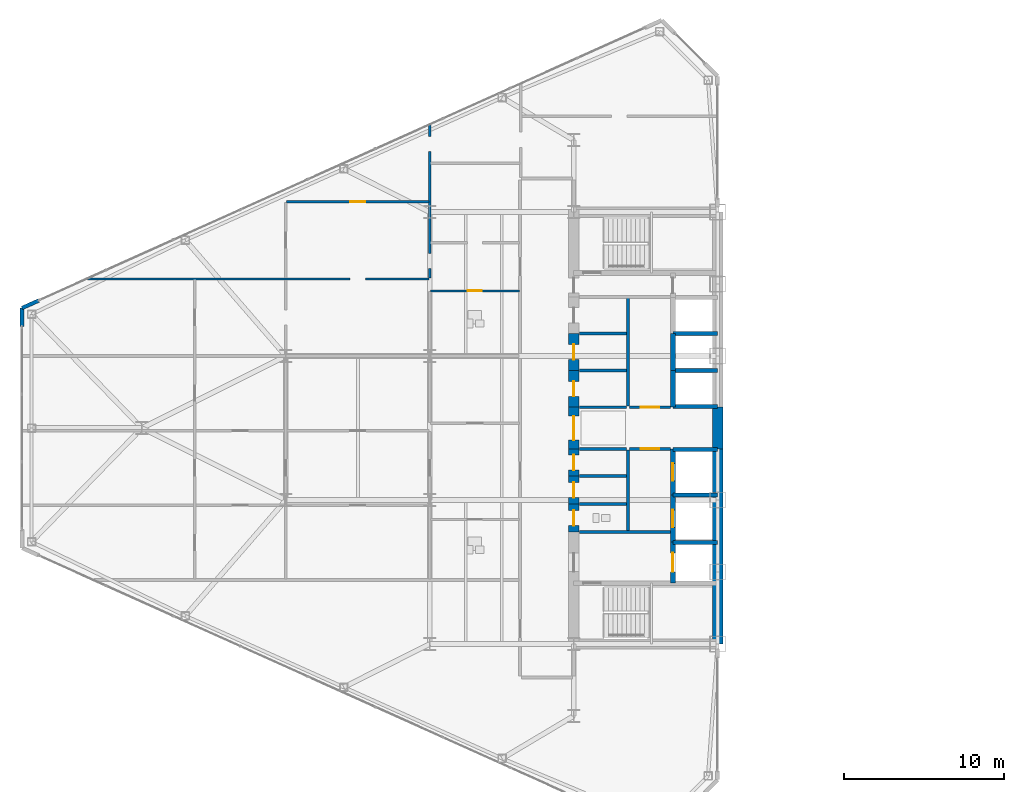
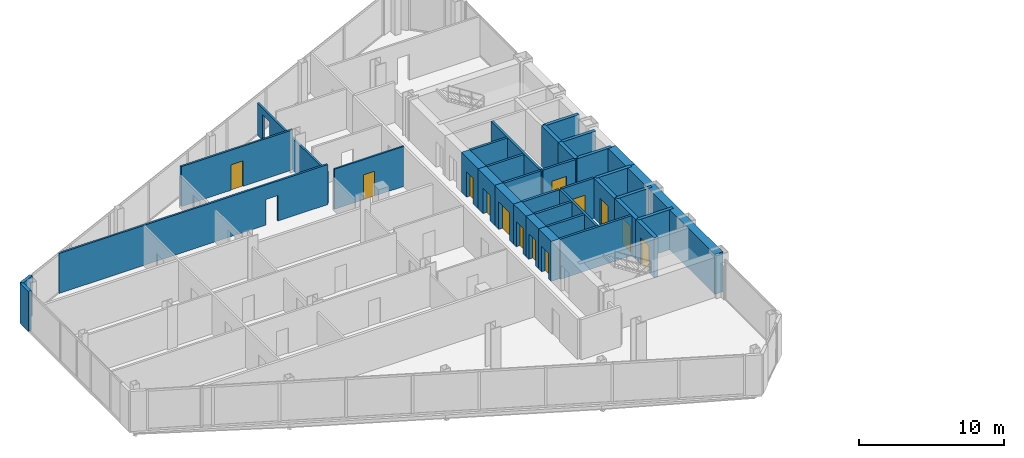
# One storey, part 20 of 27: 36 walls, 13 doors, 16 openings.
"""IFC4 building model written with IfcOpenShell, lengths in metres."""

import ifcopenshell
import ifcopenshell.guid

model = None  # the IFC model being written
_history = None  # IfcOwnerHistory: only IFC2X3 demands one
_inside = {}  # id of a spatial element -> (the spatial element, [elements in it])
_under = {}  # id of a project, library or spatial element -> (it, [spatial elements below it])
_declared = {}  # id of a project -> (the project, [libraries it declares])
_typed = {}  # id of a type object -> (the type object, [elements of that type])
_made_of = {}  # id of a material, layer set ... -> (it, [elements and type objects made of it])


def new_model(schema):
    """Start an empty IFC model of exactly this schema.

    Asked for "IFC4X3", IfcOpenShell would pick the latest addendum, in which some entities
    have other attributes; the version numbers below select the first issue.
    IFC2X3 requires an IfcOwnerHistory on every rooted entity: one is made here for all.
    """
    global model, _history
    if schema == "IFC4X3":
        model = ifcopenshell.file(schema_version=(4, 3, 0, 0))
    else:
        model = ifcopenshell.file(schema=schema)
    _inside.clear()
    _under.clear()
    _declared.clear()
    _typed.clear()
    _made_of.clear()
    _history = None
    if model.schema == "IFC2X3":
        org = make("IfcOrganization", Name="unknown")
        user = make(
            "IfcPersonAndOrganization",
            ThePerson=make("IfcPerson", FamilyName="unknown"),
            TheOrganization=org,
        )
        app = make(
            "IfcApplication",
            ApplicationDeveloper=org,
            Version="unknown",
            ApplicationFullName="unknown",
            ApplicationIdentifier="unknown",
        )
        _history = make(
            "IfcOwnerHistory",
            OwningUser=user,
            OwningApplication=app,
            ChangeAction="ADDED",
            CreationDate=0,
        )
    return model


def make(cls, **values):
    """One entity of the class cls with the attributes given. An attribute that is None is left unset."""
    return model.create_entity(
        cls, **{name: value for name, value in values.items() if value is not None}
    )


def rooted(cls, **values):
    """An entity with a GlobalId (a new one), such as an element, a storey or a relation."""
    return make(cls, GlobalId=ifcopenshell.guid.new(), OwnerHistory=_history, **values)


def si_unit(unit_type, name, prefix=None):
    """IfcSIUnit, for example si_unit("LENGTHUNIT", "METRE", prefix="MILLI")."""
    return make("IfcSIUnit", UnitType=unit_type, Prefix=prefix, Name=name)


def assignment(units):
    """IfcUnitAssignment: the units of a project."""
    return None if units is None else make("IfcUnitAssignment", Units=units)


def point(xyz):
    """IfcCartesianPoint."""
    return None if xyz is None else make("IfcCartesianPoint", Coordinates=xyz)


def direction(xyz):
    """IfcDirection."""
    return None if xyz is None else make("IfcDirection", DirectionRatios=xyz)


def frame(location, z_axis=None, x_axis=None):
    """IfcAxis2Placement3D, a coordinate frame: its origin and axes. An axis left out is left unset."""
    return make(
        "IfcAxis2Placement3D",
        Location=point(location),
        Axis=direction(z_axis),
        RefDirection=direction(x_axis),
    )


def frame_2d(location, x_axis=None):
    """IfcAxis2Placement2D, a coordinate frame in the plane: its origin and x axis."""
    return make(
        "IfcAxis2Placement2D", Location=point(location), RefDirection=direction(x_axis)
    )


def origin():
    """The frame at (0, 0, 0) with its axes left unset."""
    return frame((0.0, 0.0, 0.0))


def place(relative_to, where):
    """IfcLocalPlacement: puts the frame where relative to a parent placement (None: the world)."""
    return make(
        "IfcLocalPlacement", PlacementRelTo=relative_to, RelativePlacement=where
    )


def context(
    kind, dimensions, precision=None, world=None, true_north=None, identifier=None
):
    """IfcGeometricRepresentationContext, for example the 3D "Model" context."""
    return make(
        "IfcGeometricRepresentationContext",
        ContextIdentifier=identifier,
        ContextType=kind,
        CoordinateSpaceDimension=dimensions,
        Precision=precision,
        WorldCoordinateSystem=world,
        TrueNorth=true_north,
    )


def subcontext(parent, identifier, kind, view, scale=None):
    """IfcGeometricRepresentationSubContext, for example "Body" below "Model"."""
    return make(
        "IfcGeometricRepresentationSubContext",
        ContextIdentifier=identifier,
        ContextType=kind,
        ParentContext=parent,
        TargetScale=scale,
        TargetView=view,
    )


def project(units=None, contexts=None):
    """IfcProject with its units and contexts."""
    return rooted(
        "IfcProject",
        Name="project",
        RepresentationContexts=contexts,
        UnitsInContext=assignment(units),
    )


def spatial(cls, under=None, at=None, **own):
    """A site, building, storey or space (cls), placed at a placement, below another one or the project."""
    s = rooted(cls, ObjectPlacement=at, **own)
    if under is not None:
        _under.setdefault(under.id(), (under, []))[1].append(s)
    return s


def profile(cls, at=None, kind="AREA", **sizes):
    """A parametric profile (cls). Its sizes go by their IFC names, for example OverallWidth=200.0."""
    return make(cls, ProfileType=kind, Position=at, **sizes)


def rectangle(**sizes):
    """IfcRectangleProfileDef."""
    return profile("IfcRectangleProfileDef", **sizes)


def extrude(swept, where, along, depth):
    """IfcExtrudedAreaSolid: the profile swept, set in the frame where, extruded along a direction by depth."""
    return make(
        "IfcExtrudedAreaSolid",
        SweptArea=swept,
        Position=where,
        ExtrudedDirection=direction(along),
        Depth=depth,
    )


def shape(context_of_items, identifier, shape_type, items):
    """IfcShapeRepresentation: the items that make up one representation, for example the "Body"."""
    return make(
        "IfcShapeRepresentation",
        ContextOfItems=context_of_items,
        RepresentationIdentifier=identifier,
        RepresentationType=shape_type,
        Items=items,
    )


def source(mapping_origin, context_of_items, identifier, shape_type, items):
    """IfcRepresentationMap: a shape defined once, which mapped items show again and again."""
    return make(
        "IfcRepresentationMap",
        MappingOrigin=mapping_origin,
        MappedRepresentation=shape(context_of_items, identifier, shape_type, items),
    )


def transform(
    local_origin,
    x_axis=None,
    y_axis=None,
    z_axis=None,
    scale=None,
    scale2=None,
    scale3=None,
    uniform=True,
):
    """IfcCartesianTransformationOperator3D, or its non-uniform kind. x_axis, y_axis, z_axis: its Axis1, 2, 3."""
    if uniform:
        return make(
            "IfcCartesianTransformationOperator3D",
            Axis1=direction(x_axis),
            Axis2=direction(y_axis),
            LocalOrigin=point(local_origin),
            Scale=scale,
            Axis3=direction(z_axis),
        )
    return make(
        "IfcCartesianTransformationOperator3DnonUniform",
        Axis1=direction(x_axis),
        Axis2=direction(y_axis),
        LocalOrigin=point(local_origin),
        Scale=scale,
        Axis3=direction(z_axis),
        Scale2=scale2,
        Scale3=scale3,
    )


def mapped(mapping_source, mapping_target):
    """IfcMappedItem: shows the shape of a source again, moved by a transform."""
    return make(
        "IfcMappedItem", MappingSource=mapping_source, MappingTarget=mapping_target
    )


def material(Name=None, Category=None):
    """IfcMaterial."""
    return make("IfcMaterial", Name=Name, Category=Category)


def layer(
    of_material, thickness, ventilated=None, Name=None, Category=None, Priority=None
):
    """IfcMaterialLayer: one layer of a wall or slab, of a material (None: an air gap)."""
    return make(
        "IfcMaterialLayer",
        Material=of_material,
        LayerThickness=thickness,
        IsVentilated=ventilated,
        Name=Name,
        Category=Category,
        Priority=Priority,
    )


def layer_set(layers, Name=None):
    """IfcMaterialLayerSet."""
    return make("IfcMaterialLayerSet", MaterialLayers=layers, LayerSetName=Name)


def made_of(thing, what):
    """Note that an element or type object is made of a material, layer set ...; save() writes the relation."""
    if what is not None:
        _made_of.setdefault(what.id(), (what, []))[1].append(thing)
    return thing


def type_object(cls, material=None, **own):
    """A type object (cls), such as IfcWallType, which elements share."""
    return made_of(rooted(cls, **own), material)


def type_shapes(of_type, sources):
    """Give a type object the sources (RepresentationMaps) that its elements show as mapped items."""
    of_type.RepresentationMaps = sources


def element(
    cls,
    number,
    at=None,
    inside=None,
    cuts=None,
    type_object=None,
    material=None,
    context=None,
    identifier="Body",
    shape_type=None,
    held_by="IfcProductDefinitionShape",
    body=None,
    shapes=None,
    **own,
):
    """One element of the class cls, such as IfcWall. Its Tag is "e" and its number.

    at: its placement. inside: the storey or other place that contains it. cuts: it is an
    opening in that element (IfcRelVoidsElement). A single representation is given by context,
    identifier, shape_type and body (its items); several are given by shapes. held_by: the class
    of the entity that holds the representations. save() writes the other relations.
    """
    e = rooted(cls, Tag="e%d" % number, ObjectPlacement=at, **own)
    if body is not None:
        shapes = [shape(context, identifier, shape_type, body)]
    if shapes is not None:
        e.Representation = make(held_by, Representations=shapes)
    if inside is not None:
        _inside.setdefault(inside.id(), (inside, []))[1].append(e)
    if cuts is not None:
        rooted(
            "IfcRelVoidsElement", RelatingBuildingElement=cuts, RelatedOpeningElement=e
        )
    if type_object is not None:
        _typed.setdefault(type_object.id(), (type_object, []))[1].append(e)
    return made_of(e, material)


def fill(opening, filler):
    """IfcRelFillsElement: the door or window that sits in an opening."""
    return rooted(
        "IfcRelFillsElement",
        RelatingOpeningElement=opening,
        RelatedBuildingElement=filler,
    )


def aggregate(whole, parts):
    """IfcRelAggregates: a whole, such as a stair, and the parts it consists of."""
    return rooted("IfcRelAggregates", RelatingObject=whole, RelatedObjects=parts)


def save(model, path):
    """Write the relations noted so far, then the file.

    IfcRelAggregates (storeys below a building ...), IfcRelContainedInSpatialStructure (elements
    in a storey), IfcRelDefinesByType, IfcRelAssociatesMaterial and IfcRelDeclares: one each for
    every whole, place, type object, material and project.
    """
    for whole, parts in _under.values():
        aggregate(whole, parts)
    for where, things in _inside.values():
        rooted(
            "IfcRelContainedInSpatialStructure",
            RelatedElements=things,
            RelatingStructure=where,
        )
    for kind, things in _typed.values():
        rooted("IfcRelDefinesByType", RelatedObjects=things, RelatingType=kind)
    for what, things in _made_of.values():
        rooted("IfcRelAssociatesMaterial", RelatedObjects=things, RelatingMaterial=what)
    for by, libraries in _declared.values():
        rooted("IfcRelDeclares", RelatingContext=by, RelatedDefinitions=libraries)
    model.write(path)


model = new_model("IFC4")

# Units and contexts
model_context = context("Model", 3, precision=1e-05, world=origin(), true_north=direction((0.0, 1.0)))
body_context = subcontext(model_context, "Body", "Model", "MODEL_VIEW")
ifc_project = project(units=[si_unit("LENGTHUNIT", "METRE"), si_unit("AREAUNIT", "SQUARE_METRE"), si_unit("VOLUMEUNIT", "CUBIC_METRE"), si_unit("PLANEANGLEUNIT", "RADIAN"), si_unit("MASSUNIT", "GRAM", prefix="KILO")], contexts=[model_context])

# Site, building, storey
site_placement = place(None, origin())
site = spatial("IfcSite", under=ifc_project, at=site_placement, CompositionType="ELEMENT")
building_placement = place(site_placement, origin())
building = spatial("IfcBuilding", under=site, at=building_placement, Name="Seokmaru Belvedere", CompositionType="ELEMENT")
storey_placement = place(building_placement, frame((0.0, 0.0, 80.10009765625)))
storey = spatial("IfcBuildingStorey", under=building, at=storey_placement, Name="L21", CompositionType="ELEMENT", Elevation=80.10009765625)

# Wall, opening
ifc_material_1 = material(Name="Fire-Rated Gypsum Shaftwall")
ifc_layer_1 = layer(ifc_material_1, 0.14990234375)
ifc_layer_set_1 = layer_set([ifc_layer_1], Name="Fire-Rated Gypsum Shaftwall")
wall_type_1 = type_object("IfcWallType", Name="Apartment Fire-Acoustic Room Partition 150", PredefinedType="PARTITIONING", material=ifc_layer_set_1)
wall_1_placement = place(storey_placement, frame((-66.97900390625, 9.320068359375, 0.0), z_axis=(0.0, 0.0, 1.0), x_axis=(1.0, 0.0, 0.0)))
wall_1 = element("IfcWall", 1, at=wall_1_placement, inside=storey, type_object=wall_type_1, Name="L21 Interior Partition 024", PredefinedType="PARTITIONING", context=body_context, shape_type="SweptSolid", body=[
    extrude(rectangle(XDim=21.428955078125, YDim=0.14990234375, at=frame_2d((10.71435546875, 0.0))), origin(), (0.0, 0.0, 1.0), 3.3798828125),
])
opening_1_placement = place(wall_1_placement, frame((16.50390625, 0.0, 0.0)))
element("IfcOpeningElement", 2, at=opening_1_placement, cuts=wall_1, Name="L21 Cased Opening 019", PredefinedType="OPENING", context=body_context, shape_type="SweptSolid", body=[
    extrude(rectangle(XDim=0.949951171875, YDim=2.14990234375, at=frame_2d((0.47509765625, 1.074951171875))), frame((0.0, 0.0849609375, 0.0), z_axis=(0.0, -1.0, 0.0), x_axis=(1.0, 0.0, 0.0)), (0.0, 0.0, 1.0), 0.169921875),
])

# Wall, opening, door
wall_2_placement = place(storey_placement, frame((-54.449951171875, 14.14990234375, 0.0), z_axis=(0.0, 0.0, 1.0), x_axis=(1.0, 0.0, 0.0)))
wall_2 = element("IfcWall", 3, at=wall_2_placement, inside=storey, type_object=wall_type_1, Name="L21 Interior Partition 028", PredefinedType="PARTITIONING", context=body_context, shape_type="SweptSolid", body=[
    extrude(rectangle(XDim=8.89990234375, YDim=0.14990234375, at=frame_2d((4.449951171875, 0.0))), origin(), (0.0, 0.0, 1.0), 3.3798828125),
])
opening_2_placement = place(wall_2_placement, frame((3.97509765625, 0.0, 0.0)))
opening_2 = element("IfcOpeningElement", 4, at=opening_2_placement, cuts=wall_2, Name="Opening D05", PredefinedType="OPENING", context=body_context, shape_type="SweptSolid", body=[
    extrude(rectangle(XDim=0.949951171875, YDim=2.14990234375, at=frame_2d((0.47509765625, 1.074951171875))), frame((0.0, 0.0849609375, 0.0), z_axis=(0.0, -1.0, 0.0), x_axis=(1.0, 0.0, 0.0)), (0.0, 0.0, 1.0), 0.169921875),
])
ifc_material_2 = material(Name="Engineered White Oak Timber", Category="wood")
door_type_1 = type_object("IfcDoorType", Name="Apartment Interior Fire-Rated Oak Door 950x2150", OperationType="NOTDEFINED", PredefinedType="DOOR", material=ifc_material_2)
shared_shape_1 = source(origin(), body_context, "Body", "SweptSolid", [
    extrude(rectangle(XDim=0.949951171875, YDim=2.14990234375, at=frame_2d((0.47509765625, 1.074951171875))), frame((0.0, 0.02490234375, 0.0), z_axis=(0.0, -1.0, 0.0), x_axis=(1.0, 0.0, 0.0)), (0.0, 0.0, 1.0), 0.050048828125),
])
type_shapes(door_type_1, [shared_shape_1])
door_1_placement = place(opening_2_placement, origin())
door_1 = element("IfcDoor", 5, at=door_1_placement, inside=storey, type_object=door_type_1, Name="L21 Interior Door 020", OperationType="SINGLE_SWING_RIGHT", OverallHeight=2.14990234375, OverallWidth=0.949951171875, PredefinedType="DOOR", context=body_context, shape_type="MappedRepresentation", body=[
    mapped(shared_shape_1, transform((0.0, 0.0, 0.0), scale=1.0)),
])
fill(opening_2, door_1)

# Wall, openings
wall_3_placement = place(storey_placement, frame((-45.5, 9.375, 0.0), z_axis=(0.0, 0.0, 1.0), x_axis=(0.0, 1.0, 0.0)))
wall_3 = element("IfcWall", 6, at=wall_3_placement, inside=storey, type_object=wall_type_1, Name="L21 Interior Partition 040", PredefinedType="PARTITIONING", context=body_context, shape_type="SweptSolid", body=[
    extrude(rectangle(XDim=9.635009765625, YDim=0.14990234375, at=frame_2d((4.8173828125, 0.0))), origin(), (0.0, 0.0, 1.0), 2.679931640625),
])
opening_3_placement = place(wall_3_placement, frame((0.601318359375, 0.0, 0.0)))
element("IfcOpeningElement", 7, at=opening_3_placement, cuts=wall_3, Name="L21 Cased Opening 017", PredefinedType="OPENING", context=body_context, shape_type="SweptSolid", body=[
    extrude(rectangle(XDim=0.949951171875, YDim=2.14990234375, at=frame_2d((0.47509765625, 1.074951171875))), frame((0.0, 0.0849609375, 0.0), z_axis=(0.0, -1.0, 0.0), x_axis=(1.0, 0.0, 0.0)), (0.0, 0.0, 1.0), 0.169921875),
])
opening_4_placement = place(wall_3_placement, frame((7.9169921875, 0.0, 0.0)))
element("IfcOpeningElement", 8, at=opening_4_placement, cuts=wall_3, Name="L21 Cased Opening 023", PredefinedType="OPENING", context=body_context, shape_type="SweptSolid", body=[
    extrude(rectangle(XDim=0.949951171875, YDim=2.14990234375, at=frame_2d((0.47509765625, 1.074951171875))), frame((0.0, 0.0849609375, 0.0), z_axis=(0.0, -1.0, 0.0), x_axis=(1.0, 0.0, 0.0)), (0.0, 0.0, 1.0), 0.169921875),
])

# Walls
ifc_layer_2 = layer(ifc_material_1, 0.179931640625)
ifc_layer_set_2 = layer_set([ifc_layer_2], Name="Fire-Rated Gypsum Shaftwall")
wall_type_2 = type_object("IfcWallType", Name="Core Service Fire Partition 180", PredefinedType="PARTITIONING", material=ifc_layer_set_2)
wall_4_placement = place(storey_placement, frame((-36.14990234375, -6.5, 0.0), z_axis=(0.0, 0.0, 1.0), x_axis=(1.0, 0.0, 0.0)))
element("IfcWall", 9, at=wall_4_placement, inside=storey, type_object=wall_type_2, Name="L21 West Firefighting Lobby Partition", PredefinedType="PARTITIONING", context=body_context, shape_type="SweptSolid", body=[
    extrude(rectangle(XDim=5.699951171875, YDim=0.179931640625, at=frame_2d((2.85009765625, 0.0))), origin(), (0.0, 0.0, 1.0), 3.3798828125),
])
wall_5_placement = place(storey_placement, frame((-33.10009765625, -6.419921875, 0.0), z_axis=(0.0, 0.0, 1.0), x_axis=(0.0, 1.0, 0.0)))
element("IfcWall", 10, at=wall_5_placement, inside=storey, type_object=wall_type_2, Name="L21 West South Core Service Back Wall", PredefinedType="PARTITIONING", context=body_context, shape_type="SweptSolid", body=[
    extrude(rectangle(XDim=5.0400390625, YDim=0.179931640625, at=frame_2d((2.52001953125, 0.0))), origin(), (0.0, 0.0, 1.0), 3.3798828125),
])
wall_6_placement = place(storey_placement, frame((-33.10009765625, 1.3798828125, 0.0), z_axis=(0.0, 0.0, 1.0), x_axis=(0.0, 1.0, 0.0)))
element("IfcWall", 11, at=wall_6_placement, inside=storey, type_object=wall_type_2, Name="L21 West North Core Service Back Wall", PredefinedType="PARTITIONING", context=body_context, shape_type="SweptSolid", body=[
    extrude(rectangle(XDim=6.740234375, YDim=0.179931640625, at=frame_2d((3.3701171875, 0.0))), origin(), (0.0, 0.0, 1.0), 3.3798828125),
])

# Wall, opening, door
wall_7_placement = place(storey_placement, frame((-33.02001953125, -1.300048828125, 0.0), z_axis=(0.0, 0.0, 1.0), x_axis=(1.0, 0.0, 0.0)))
wall_7 = element("IfcWall", 12, at=wall_7_placement, inside=storey, type_object=wall_type_2, Name="L21 West South Lift Lobby Foyer Wall", PredefinedType="PARTITIONING", context=body_context, shape_type="SweptSolid", body=[
    extrude(rectangle(XDim=2.570068359375, YDim=0.179931640625, at=frame_2d((1.28515625, 0.0))), origin(), (0.0, 0.0, 1.0), 3.3798828125),
])
opening_5_placement = place(wall_7_placement, frame((0.7099609375, 0.0, 0.0)))
opening_5 = element("IfcOpeningElement", 13, at=opening_5_placement, cuts=wall_7, Name="Opening D02", PredefinedType="OPENING", context=body_context, shape_type="SweptSolid", body=[
    extrude(rectangle(XDim=1.14990234375, YDim=2.199951171875, at=frame_2d((0.574951171875, 1.10009765625))), frame((0.0, 0.10009765625, 0.0), z_axis=(0.0, -1.0, 0.0), x_axis=(1.0, 0.0, 0.0)), (0.0, 0.0, 1.0), 0.199951171875),
])
ifc_material_3 = material(Name="Fire-Rated Steel Leaf", Category="steel")
door_type_2 = type_object("IfcDoorType", Name="Lobby and Vestibule Fire Door 1150x2200", OperationType="NOTDEFINED", PredefinedType="DOOR", material=ifc_material_3)
shared_shape_2 = source(origin(), body_context, "Body", "SweptSolid", [
    extrude(rectangle(XDim=1.14990234375, YDim=2.199951171875, at=frame_2d((0.574951171875, 1.10009765625))), frame((0.0, 0.02490234375, 0.0), z_axis=(0.0, -1.0, 0.0), x_axis=(1.0, 0.0, 0.0)), (0.0, 0.0, 1.0), 0.050048828125),
])
type_shapes(door_type_2, [shared_shape_2])
door_2_placement = place(opening_5_placement, origin())
door_2 = element("IfcDoor", 14, at=door_2_placement, inside=storey, type_object=door_type_2, Name="L21 West South Core Foyer Door", OperationType="SINGLE_SWING_LEFT", OverallHeight=2.199951171875, OverallWidth=1.14990234375, PredefinedType="DOOR", context=body_context, shape_type="MappedRepresentation", body=[
    mapped(shared_shape_2, transform((0.0, 0.0, 0.0), scale=1.0)),
])
fill(opening_5, door_2)

wall_8_placement = place(storey_placement, frame((-33.02001953125, 1.300048828125, 0.0), z_axis=(0.0, 0.0, 1.0), x_axis=(1.0, 0.0, 0.0)))
wall_8 = element("IfcWall", 15, at=wall_8_placement, inside=storey, type_object=wall_type_2, Name="L21 West North Lift Lobby Foyer Wall", PredefinedType="PARTITIONING", context=body_context, shape_type="SweptSolid", body=[
    extrude(rectangle(XDim=2.570068359375, YDim=0.179931640625, at=frame_2d((1.28515625, 0.0))), origin(), (0.0, 0.0, 1.0), 3.3798828125),
])
opening_6_placement = place(wall_8_placement, frame((0.7099609375, 0.0, 0.0)))
opening_6 = element("IfcOpeningElement", 16, at=opening_6_placement, cuts=wall_8, Name="Opening D02", PredefinedType="OPENING", context=body_context, shape_type="SweptSolid", body=[
    extrude(rectangle(XDim=1.14990234375, YDim=2.199951171875, at=frame_2d((0.574951171875, 1.10009765625))), frame((0.0, 0.10009765625, 0.0), z_axis=(0.0, -1.0, 0.0), x_axis=(1.0, 0.0, 0.0)), (0.0, 0.0, 1.0), 0.199951171875),
])
door_3_placement = place(opening_6_placement, origin())
door_3 = element("IfcDoor", 17, at=door_3_placement, inside=storey, type_object=door_type_2, Name="L21 West North Lift Lobby Door", OperationType="SINGLE_SWING_RIGHT", OverallHeight=2.199951171875, OverallWidth=1.14990234375, PredefinedType="DOOR", context=body_context, shape_type="MappedRepresentation", body=[
    mapped(shared_shape_2, transform((0.0, 0.0, 0.0), scale=1.0)),
])
fill(opening_6, door_3)

# Walls
for number, where, z_axis, x_axis, name in (
    (18, (-36.14990234375, -1.300048828125, 0.0), (0.0, 0.0, 1.0), (1.0, 0.0, 0.0), "L21 West Foyer Side Wall S"),
    (19, (-36.14990234375, 1.300048828125, 0.0), (0.0, 0.0, 1.0), (1.0, 0.0, 0.0), "L21 West Foyer Side Wall N"),
    (20, (-36.14990234375, -4.75, 0.0), (0.0, 0.0, 1.0), (1.0, 0.0, 0.0), "L21 West Core Service Partition 1"),
    (21, (-36.14990234375, -3.0, 0.0), (0.0, 0.0, 1.0), (1.0, 0.0, 0.0), "L21 West Core Service Partition 2"),
    (22, (-36.14990234375, 3.60009765625, 0.0), (0.0, 0.0, 1.0), (1.0, 0.0, 0.0), "L21 West Core Service Partition 3"),
    (23, (-36.14990234375, 5.89990234375, 0.0), (0.0, 0.0, 1.0), (1.0, 0.0, 0.0), "L21 West Core Service Partition 4"),
):
    element("IfcWall", number, at=place(storey_placement, frame(where, z_axis=z_axis, x_axis=x_axis)), inside=storey, type_object=wall_type_2, Name=name, PredefinedType="PARTITIONING", context=body_context, shape_type="SweptSolid", body=[
        extrude(rectangle(XDim=2.949951171875, YDim=0.179931640625, at=frame_2d((1.47509765625, 0.0))), origin(), (0.0, 0.0, 1.0), 3.3798828125),
    ])
ifc_material_4 = material(Name="Concrete C50 (50 MPa)", Category="concrete")
ifc_layer_3 = layer(ifc_material_4, 0.25)
ifc_layer_set_3 = layer_set([ifc_layer_3], Name="Concrete C50 (50 MPa)")
wall_type_3 = type_object("IfcWallType", Name="Hoistway Transverse Concrete Divider Wall 250", PredefinedType="SHEAR", material=ifc_layer_set_3)
for number, where, z_axis, x_axis, name in (
    (24, (-30.300048828125, -7.14990234375, 0.0), (0.0, 0.0, 1.0), (1.0, 0.0, 0.0), "L21 West Hoistway Divider Core Wall 1"),
    (25, (-30.300048828125, -4.199951171875, 0.0), (0.0, 0.0, 1.0), (1.0, 0.0, 0.0), "L21 West Hoistway Divider Core Wall 2"),
    (26, (-30.300048828125, -1.35009765625, 0.0), (0.0, 0.0, 1.0), (1.0, 0.0, 0.0), "L21 West Hoistway Divider Core Wall 3"),
    (27, (-30.300048828125, 1.35009765625, 0.0), (0.0, 0.0, 1.0), (1.0, 0.0, 0.0), "L21 West Hoistway Divider Core Wall 4"),
    (28, (-30.300048828125, 3.60009765625, 0.0), (0.0, 0.0, 1.0), (1.0, 0.0, 0.0), "L21 West Hoistway Divider Core Wall 5"),
    (29, (-30.300048828125, 5.89990234375, 0.0), (0.0, 0.0, 1.0), (1.0, 0.0, 0.0), "L21 West Hoistway Divider Core Wall 6"),
):
    element("IfcWall", number, at=place(storey_placement, frame(where, z_axis=z_axis, x_axis=x_axis)), inside=storey, type_object=wall_type_3, Name=name, PredefinedType="SHEAR", context=body_context, shape_type="SweptSolid", body=[
        extrude(rectangle(XDim=2.800048828125, YDim=0.25, at=frame_2d((1.39990234375, 0.0))), origin(), (0.0, 0.0, 1.0), 3.3798828125),
    ])

# Wall, opening, door
ifc_layer_4 = layer(ifc_material_4, 0.300048828125)
ifc_layer_set_4 = layer_set([ifc_layer_4], Name="Concrete C50 (50 MPa)")
wall_type_4 = type_object("IfcWallType", Name="Internal Core Stair and Hoistway Wall 300", PredefinedType="SHEAR", material=ifc_layer_set_4)
wall_9_placement = place(storey_placement, frame((-30.300048828125, -9.679931640625, 0.0), z_axis=(0.0, 0.0, 1.0), x_axis=(0.0, 1.0, 0.0)))
wall_9 = element("IfcWall", 30, at=wall_9_placement, inside=storey, type_object=wall_type_4, Name="L21 West Firefighting Lift Shaft Front Wall", PredefinedType="SHEAR", context=body_context, shape_type="SweptSolid", body=[
    extrude(rectangle(XDim=2.559814453125, YDim=0.300048828125, at=frame_2d((1.27978515625, 0.0))), origin(), (0.0, 0.0, 1.0), 3.3798828125),
])
opening_7_placement = place(wall_9_placement, frame((0.679931640625, 0.0, 0.0)))
opening_7 = element("IfcOpeningElement", 31, at=opening_7_placement, cuts=wall_9, Name="Opening LD2", PredefinedType="OPENING", context=body_context, shape_type="SweptSolid", body=[
    extrude(rectangle(XDim=1.199951171875, YDim=2.25, at=frame_2d((0.60009765625, 1.125))), frame((0.0, 0.16015625, 0.0), z_axis=(0.0, -1.0, 0.0), x_axis=(1.0, 0.0, 0.0)), (0.0, 0.0, 1.0), 0.320068359375),
])
ifc_material_5 = material(Name="Stainless Steel 316", Category="steel")
door_type_3 = type_object("IfcDoorType", Name="Firefighting Lift Sliding Landing Door 1200x2250", OperationType="DOUBLE_DOOR_SLIDING", PredefinedType="DOOR", material=ifc_material_5)
shared_shape_3 = source(origin(), body_context, "Body", "SweptSolid", [
    extrude(rectangle(XDim=1.199951171875, YDim=2.25, at=frame_2d((0.60009765625, 1.125))), frame((0.0, 0.02490234375, 0.0), z_axis=(0.0, -1.0, 0.0), x_axis=(1.0, 0.0, 0.0)), (0.0, 0.0, 1.0), 0.050048828125),
])
type_shapes(door_type_3, [shared_shape_3])
door_4_placement = place(opening_7_placement, origin())
door_4 = element("IfcDoor", 32, at=door_4_placement, inside=storey, type_object=door_type_3, Name="L21 West Firefighting Lift Landing Door", OperationType="DOUBLE_DOOR_SLIDING", OverallHeight=2.25, OverallWidth=1.199951171875, PredefinedType="DOOR", context=body_context, shape_type="MappedRepresentation", body=[
    mapped(shared_shape_3, transform((0.0, 0.0, 0.0), scale=1.0)),
])
fill(opening_7, door_4)

wall_10_placement = place(storey_placement, frame((-30.300048828125, -7.1201171875, 0.0), z_axis=(0.0, 0.0, 1.0), x_axis=(0.0, 1.0, 0.0)))
wall_10 = element("IfcWall", 33, at=wall_10_placement, inside=storey, type_object=wall_type_4, Name="L21 West Low-Rise Lift PL-1 Front Wall", PredefinedType="SHEAR", context=body_context, shape_type="SweptSolid", body=[
    extrude(rectangle(XDim=2.920166015625, YDim=0.300048828125, at=frame_2d((1.4599609375, 0.0))), origin(), (0.0, 0.0, 1.0), 3.3798828125),
])
opening_8_placement = place(wall_10_placement, frame((0.909912109375, 0.0, 0.0)))
opening_8 = element("IfcOpeningElement", 34, at=opening_8_placement, cuts=wall_10, Name="Opening LD1", PredefinedType="OPENING", context=body_context, shape_type="SweptSolid", body=[
    extrude(rectangle(XDim=1.10009765625, YDim=2.199951171875, at=frame_2d((0.550048828125, 1.10009765625))), frame((0.0, 0.16015625, 0.0), z_axis=(0.0, -1.0, 0.0), x_axis=(1.0, 0.0, 0.0)), (0.0, 0.0, 1.0), 0.320068359375),
])
door_type_4 = type_object("IfcDoorType", Name="Passenger Lift Sliding Landing Door 1100x2200", OperationType="DOUBLE_DOOR_SLIDING", PredefinedType="DOOR", material=ifc_material_5)
shared_shape_4 = source(origin(), body_context, "Body", "SweptSolid", [
    extrude(rectangle(XDim=1.10009765625, YDim=2.199951171875, at=frame_2d((0.550048828125, 1.10009765625))), frame((0.0, 0.02490234375, 0.0), z_axis=(0.0, -1.0, 0.0), x_axis=(1.0, 0.0, 0.0)), (0.0, 0.0, 1.0), 0.050048828125),
])
type_shapes(door_type_4, [shared_shape_4])
door_5_placement = place(opening_8_placement, origin())
door_5 = element("IfcDoor", 35, at=door_5_placement, inside=storey, type_object=door_type_4, Name="L21 West Low-Rise Lift PL-1 Landing Door", OperationType="DOUBLE_DOOR_SLIDING", OverallHeight=2.199951171875, OverallWidth=1.10009765625, PredefinedType="DOOR", context=body_context, shape_type="MappedRepresentation", body=[
    mapped(shared_shape_4, transform((0.0, 0.0, 0.0), scale=1.0)),
])
fill(opening_8, door_5)

wall_11_placement = place(storey_placement, frame((-30.300048828125, -4.199951171875, 0.0), z_axis=(0.0, 0.0, 1.0), x_axis=(0.0, 1.0, 0.0)))
wall_11 = element("IfcWall", 36, at=wall_11_placement, inside=storey, type_object=wall_type_4, Name="L21 West Low-Rise Lift PL-2 Front Wall", PredefinedType="SHEAR", context=body_context, shape_type="SweptSolid", body=[
    extrude(rectangle(XDim=2.8798828125, YDim=0.300048828125, at=frame_2d((1.43994140625, 0.0))), origin(), (0.0, 0.0, 1.0), 3.3798828125),
])
opening_9_placement = place(wall_11_placement, frame((0.889892578125, 0.0, 0.0)))
opening_9 = element("IfcOpeningElement", 37, at=opening_9_placement, cuts=wall_11, Name="Opening LD1", PredefinedType="OPENING", context=body_context, shape_type="SweptSolid", body=[
    extrude(rectangle(XDim=1.10009765625, YDim=2.199951171875, at=frame_2d((0.550048828125, 1.10009765625))), frame((0.0, 0.16015625, 0.0), z_axis=(0.0, -1.0, 0.0), x_axis=(1.0, 0.0, 0.0)), (0.0, 0.0, 1.0), 0.320068359375),
])
door_6_placement = place(opening_9_placement, origin())
door_6 = element("IfcDoor", 38, at=door_6_placement, inside=storey, type_object=door_type_4, Name="L21 West Low-Rise Lift PL-2 Landing Door", OperationType="DOUBLE_DOOR_SLIDING", OverallHeight=2.199951171875, OverallWidth=1.10009765625, PredefinedType="DOOR", context=body_context, shape_type="MappedRepresentation", body=[
    mapped(shared_shape_4, transform((0.0, 0.0, 0.0), scale=1.0)),
])
fill(opening_9, door_6)

# Walls
wall_12_placement = place(storey_placement, frame((-30.300048828125, 1.320068359375, 0.0), z_axis=(0.0, 0.0, 1.0), x_axis=(0.0, 1.0, 0.0)))
element("IfcWall", 39, at=wall_12_placement, inside=storey, type_object=wall_type_4, Name="L21 West North Hoistway Wall PH1", PredefinedType="SHEAR", context=body_context, shape_type="SweptSolid", body=[
    extrude(rectangle(XDim=2.280029296875, YDim=0.300048828125, at=frame_2d((1.14013671875, 0.0))), origin(), (0.0, 0.0, 1.0), 3.3798828125),
])
wall_13_placement = place(storey_placement, frame((-30.300048828125, 3.60009765625, 0.0), z_axis=(0.0, 0.0, 1.0), x_axis=(0.0, 1.0, 0.0)))
element("IfcWall", 40, at=wall_13_placement, inside=storey, type_object=wall_type_4, Name="L21 West North Hoistway Wall PH2", PredefinedType="SHEAR", context=body_context, shape_type="SweptSolid", body=[
    extrude(rectangle(XDim=2.2998046875, YDim=0.300048828125, at=frame_2d((1.14990234375, 0.0))), origin(), (0.0, 0.0, 1.0), 3.3798828125),
])
ifc_material_6 = material(Name="Concrete C60 (60 MPa)", Category="concrete")
ifc_layer_5 = layer(ifc_material_6, 0.64990234375)
ifc_layer_set_5 = layer_set([ifc_layer_5], Name="Concrete C60 (60 MPa)")
wall_type_5 = type_object("IfcWallType", Name="Mid-Low Reinforced Concrete Core Wall 650", PredefinedType="SHEAR", material=ifc_layer_set_5)
wall_14_placement = place(storey_placement, frame((-27.5, -13.5, 0.0), z_axis=(0.0, 0.0, 1.0), x_axis=(0.0, 1.0, 0.0)))
element("IfcWall", 41, at=wall_14_placement, inside=storey, type_object=wall_type_5, Name="L21 West Portal Spine Core Wall South", PredefinedType="SHEAR", context=body_context, shape_type="SweptSolid", body=[
    extrude(rectangle(XDim=12.199951171875, YDim=0.64990234375, at=frame_2d((6.10009765625, 0.0))), origin(), (0.0, 0.0, 1.0), 3.3798828125),
])
wall_15_placement = place(storey_placement, frame((-27.5, -1.300048828125, 0.0), z_axis=(0.0, 0.0, 1.0), x_axis=(0.0, 1.0, 0.0)))
element("IfcWall", 42, at=wall_15_placement, inside=storey, type_object=wall_type_5, Name="L21 West Portal Spine Core Wall Center", PredefinedType="SHEAR", context=body_context, shape_type="SweptSolid", body=[
    extrude(rectangle(XDim=2.60009765625, YDim=0.64990234375, at=frame_2d((1.300048828125, 0.0))), origin(), (0.0, 0.0, 1.0), 3.3798828125),
])

# Wall, opening, door
wall_16_placement = place(storey_placement, frame((-36.5, -1.300048828125, 0.0), z_axis=(0.0, 0.0, 1.0), x_axis=(0.0, 1.0, 0.0)))
wall_16 = element("IfcWall", 43, at=wall_16_placement, inside=storey, type_object=wall_type_5, Name="L21 West West Core Wall FOY", PredefinedType="SHEAR", context=body_context, shape_type="SweptSolid", body=[
    extrude(rectangle(XDim=2.60009765625, YDim=0.64990234375, at=frame_2d((1.300048828125, 0.0))), origin(), (0.0, 0.0, 1.0), 3.3798828125),
])
opening_10_placement = place(wall_16_placement, frame((0.550048828125, 0.0, 0.0)))
opening_10 = element("IfcOpeningElement", 44, at=opening_10_placement, cuts=wall_16, Name="Opening D08", PredefinedType="OPENING", context=body_context, shape_type="SweptSolid", body=[
    extrude(rectangle(XDim=1.5, YDim=2.300048828125, at=frame_2d((0.75, 1.14990234375))), frame((0.0, 0.3349609375, 0.0), z_axis=(0.0, -1.0, 0.0), x_axis=(1.0, 0.0, 0.0)), (0.0, 0.0, 1.0), 0.669921875),
])
door_type_5 = type_object("IfcDoorType", Name="Cross-Corridor Compartment Double Fire Door 1500x2300", OperationType="DOUBLE_SWING_LEFT", PredefinedType="DOOR", material=ifc_material_3)
shared_shape_5 = source(origin(), body_context, "Body", "SweptSolid", [
    extrude(rectangle(XDim=1.5, YDim=2.300048828125, at=frame_2d((0.75, 1.14990234375))), frame((0.0, 0.02490234375, 0.0), z_axis=(0.0, -1.0, 0.0), x_axis=(1.0, 0.0, 0.0)), (0.0, 0.0, 1.0), 0.050048828125),
])
type_shapes(door_type_5, [shared_shape_5])
door_7_placement = place(opening_10_placement, origin())
door_7 = element("IfcDoor", 45, at=door_7_placement, inside=storey, type_object=door_type_5, Name="L21 West Core Foyer Compartment Door", OperationType="DOUBLE_SWING_LEFT", OverallHeight=2.300048828125, OverallWidth=1.5, PredefinedType="DOOR", context=body_context, shape_type="MappedRepresentation", body=[
    mapped(shared_shape_5, transform((0.0, 0.0, 0.0), scale=1.0)),
])
fill(opening_10, door_7)

wall_17_placement = place(storey_placement, frame((-36.5, -6.5, 0.0), z_axis=(0.0, 0.0, 1.0), x_axis=(0.0, 1.0, 0.0)))
wall_17 = element("IfcWall", 46, at=wall_17_placement, inside=storey, type_object=wall_type_5, Name="L21 West West Core Wall CS1", PredefinedType="SHEAR", context=body_context, shape_type="SweptSolid", body=[
    extrude(rectangle(XDim=1.75, YDim=0.64990234375, at=frame_2d((0.875, 0.0))), origin(), (0.0, 0.0, 1.0), 3.3798828125),
])
opening_11_placement = place(wall_17_placement, frame((0.39990234375, 0.0, 0.0)))
opening_11 = element("IfcOpeningElement", 47, at=opening_11_placement, cuts=wall_17, Name="Opening D04", PredefinedType="OPENING", context=body_context, shape_type="SweptSolid", body=[
    extrude(rectangle(XDim=0.949951171875, YDim=2.14990234375, at=frame_2d((0.47509765625, 1.074951171875))), frame((0.0, 0.3349609375, 0.0), z_axis=(0.0, -1.0, 0.0), x_axis=(1.0, 0.0, 0.0)), (0.0, 0.0, 1.0), 0.669921875),
])
door_type_6 = type_object("IfcDoorType", Name="Core Service Room Fire Door 950x2150", OperationType="NOTDEFINED", PredefinedType="DOOR", material=ifc_material_3)
shared_shape_6 = source(origin(), body_context, "Body", "SweptSolid", [
    extrude(rectangle(XDim=0.949951171875, YDim=2.14990234375, at=frame_2d((0.47509765625, 1.074951171875))), frame((0.0, 0.02490234375, 0.0), z_axis=(0.0, -1.0, 0.0), x_axis=(1.0, 0.0, 0.0)), (0.0, 0.0, 1.0), 0.050048828125),
])
type_shapes(door_type_6, [shared_shape_6])
door_8_placement = place(opening_11_placement, origin())
door_8 = element("IfcDoor", 48, at=door_8_placement, inside=storey, type_object=door_type_6, Name="L21 West Core Service Room Door 1", OperationType="SINGLE_SWING_LEFT", OverallHeight=2.14990234375, OverallWidth=0.949951171875, PredefinedType="DOOR", context=body_context, shape_type="MappedRepresentation", body=[
    mapped(shared_shape_6, transform((0.0, 0.0, 0.0), scale=1.0)),
])
fill(opening_11, door_8)

wall_18_placement = place(storey_placement, frame((-36.5, -4.75, 0.0), z_axis=(0.0, 0.0, 1.0), x_axis=(0.0, 1.0, 0.0)))
wall_18 = element("IfcWall", 49, at=wall_18_placement, inside=storey, type_object=wall_type_5, Name="L21 West West Core Wall CS2", PredefinedType="SHEAR", context=body_context, shape_type="SweptSolid", body=[
    extrude(rectangle(XDim=1.75, YDim=0.64990234375, at=frame_2d((0.875, 0.0))), origin(), (0.0, 0.0, 1.0), 3.3798828125),
])
opening_12_placement = place(wall_18_placement, frame((0.39990234375, 0.0, 0.0)))
opening_12 = element("IfcOpeningElement", 50, at=opening_12_placement, cuts=wall_18, Name="Opening D04", PredefinedType="OPENING", context=body_context, shape_type="SweptSolid", body=[
    extrude(rectangle(XDim=0.949951171875, YDim=2.14990234375, at=frame_2d((0.47509765625, 1.074951171875))), frame((0.0, 0.3349609375, 0.0), z_axis=(0.0, -1.0, 0.0), x_axis=(1.0, 0.0, 0.0)), (0.0, 0.0, 1.0), 0.669921875),
])
door_9_placement = place(opening_12_placement, origin())
door_9 = element("IfcDoor", 51, at=door_9_placement, inside=storey, type_object=door_type_6, Name="L21 West Core Service Room Door 2", OperationType="SINGLE_SWING_RIGHT", OverallHeight=2.14990234375, OverallWidth=0.949951171875, PredefinedType="DOOR", context=body_context, shape_type="MappedRepresentation", body=[
    mapped(shared_shape_6, transform((0.0, 0.0, 0.0), scale=1.0)),
])
fill(opening_12, door_9)

wall_19_placement = place(storey_placement, frame((-36.5, -3.0, 0.0), z_axis=(0.0, 0.0, 1.0), x_axis=(0.0, 1.0, 0.0)))
wall_19 = element("IfcWall", 52, at=wall_19_placement, inside=storey, type_object=wall_type_5, Name="L21 West West Core Wall CS3", PredefinedType="SHEAR", context=body_context, shape_type="SweptSolid", body=[
    extrude(rectangle(XDim=1.699951171875, YDim=0.64990234375, at=frame_2d((0.85009765625, 0.0))), origin(), (0.0, 0.0, 1.0), 3.3798828125),
])
opening_13_placement = place(wall_19_placement, frame((0.375, 0.0, 0.0)))
opening_13 = element("IfcOpeningElement", 53, at=opening_13_placement, cuts=wall_19, Name="Opening D04", PredefinedType="OPENING", context=body_context, shape_type="SweptSolid", body=[
    extrude(rectangle(XDim=0.949951171875, YDim=2.14990234375, at=frame_2d((0.47509765625, 1.074951171875))), frame((0.0, 0.3349609375, 0.0), z_axis=(0.0, -1.0, 0.0), x_axis=(1.0, 0.0, 0.0)), (0.0, 0.0, 1.0), 0.669921875),
])
door_10_placement = place(opening_13_placement, origin())
door_10 = element("IfcDoor", 54, at=door_10_placement, inside=storey, type_object=door_type_6, Name="L21 West Core Service Room Door 3", OperationType="SINGLE_SWING_LEFT", OverallHeight=2.14990234375, OverallWidth=0.949951171875, PredefinedType="DOOR", context=body_context, shape_type="MappedRepresentation", body=[
    mapped(shared_shape_6, transform((0.0, 0.0, 0.0), scale=1.0)),
])
fill(opening_13, door_10)

wall_20_placement = place(storey_placement, frame((-36.5, 1.300048828125, 0.0), z_axis=(0.0, 0.0, 1.0), x_axis=(0.0, 1.0, 0.0)))
wall_20 = element("IfcWall", 55, at=wall_20_placement, inside=storey, type_object=wall_type_5, Name="L21 West West Core Wall CS4", PredefinedType="SHEAR", context=body_context, shape_type="SweptSolid", body=[
    extrude(rectangle(XDim=2.300048828125, YDim=0.64990234375, at=frame_2d((1.14990234375, 0.0))), origin(), (0.0, 0.0, 1.0), 3.3798828125),
])
opening_14_placement = place(wall_20_placement, frame((0.675048828125, 0.0, 0.0)))
opening_14 = element("IfcOpeningElement", 56, at=opening_14_placement, cuts=wall_20, Name="Opening D04", PredefinedType="OPENING", context=body_context, shape_type="SweptSolid", body=[
    extrude(rectangle(XDim=0.949951171875, YDim=2.14990234375, at=frame_2d((0.47509765625, 1.074951171875))), frame((0.0, 0.3349609375, 0.0), z_axis=(0.0, -1.0, 0.0), x_axis=(1.0, 0.0, 0.0)), (0.0, 0.0, 1.0), 0.669921875),
])
door_11_placement = place(opening_14_placement, origin())
door_11 = element("IfcDoor", 57, at=door_11_placement, inside=storey, type_object=door_type_6, Name="L21 West Core Service Room Door 4", OperationType="SINGLE_SWING_RIGHT", OverallHeight=2.14990234375, OverallWidth=0.949951171875, PredefinedType="DOOR", context=body_context, shape_type="MappedRepresentation", body=[
    mapped(shared_shape_6, transform((0.0, 0.0, 0.0), scale=1.0)),
])
fill(opening_14, door_11)

wall_21_placement = place(storey_placement, frame((-36.5, 3.60009765625, 0.0), z_axis=(0.0, 0.0, 1.0), x_axis=(0.0, 1.0, 0.0)))
wall_21 = element("IfcWall", 58, at=wall_21_placement, inside=storey, type_object=wall_type_5, Name="L21 West West Core Wall CS5", PredefinedType="SHEAR", context=body_context, shape_type="SweptSolid", body=[
    extrude(rectangle(XDim=2.2998046875, YDim=0.64990234375, at=frame_2d((1.14990234375, 0.0))), origin(), (0.0, 0.0, 1.0), 3.3798828125),
])
opening_15_placement = place(wall_21_placement, frame((0.675048828125, 0.0, 0.0)))
opening_15 = element("IfcOpeningElement", 59, at=opening_15_placement, cuts=wall_21, Name="Opening D04", PredefinedType="OPENING", context=body_context, shape_type="SweptSolid", body=[
    extrude(rectangle(XDim=0.949951171875, YDim=2.14990234375, at=frame_2d((0.47509765625, 1.074951171875))), frame((0.0, 0.3349609375, 0.0), z_axis=(0.0, -1.0, 0.0), x_axis=(1.0, 0.0, 0.0)), (0.0, 0.0, 1.0), 0.669921875),
])
door_12_placement = place(opening_15_placement, origin())
door_12 = element("IfcDoor", 60, at=door_12_placement, inside=storey, type_object=door_type_6, Name="L21 West Core Service Room Door 5", OperationType="SINGLE_SWING_LEFT", OverallHeight=2.14990234375, OverallWidth=0.949951171875, PredefinedType="DOOR", context=body_context, shape_type="MappedRepresentation", body=[
    mapped(shared_shape_6, transform((0.0, 0.0, 0.0), scale=1.0)),
])
fill(opening_15, door_12)

ifc_layer_6 = layer(ifc_material_1, 0.1298828125)
ifc_layer_set_6 = layer_set([ifc_layer_6], Name="Fire-Rated Gypsum Shaftwall")
wall_type_6 = type_object("IfcWallType", Name="Moisture-Resistant Fire-Rated Bathroom Partition 130", PredefinedType="PARTITIONING", material=ifc_layer_set_6)
wall_22_placement = place(storey_placement, frame((-45.449951171875, 8.580078125, 0.0), z_axis=(0.0, 0.0, 1.0), x_axis=(1.0, 0.0, 0.0)))
wall_22 = element("IfcWall", 61, at=wall_22_placement, inside=storey, type_object=wall_type_6, Name="L21 Interior Partition 023", PredefinedType="PARTITIONING", context=body_context, shape_type="SweptSolid", body=[
    extrude(rectangle(XDim=5.550048828125, YDim=0.1298828125, at=frame_2d((2.77490234375, 0.0))), origin(), (0.0, 0.0, 1.0), 3.3798828125),
])
opening_16_placement = place(wall_22_placement, frame((2.3349609375, 0.0, 0.0)))
opening_16 = element("IfcOpeningElement", 62, at=opening_16_placement, cuts=wall_22, Name="Opening D06", PredefinedType="OPENING", context=body_context, shape_type="SweptSolid", body=[
    extrude(rectangle(XDim=0.8798828125, YDim=2.10009765625, at=frame_2d((0.43994140625, 1.050048828125))), frame((0.0, 0.074951171875, 0.0), z_axis=(0.0, -1.0, 0.0), x_axis=(1.0, 0.0, 0.0)), (0.0, 0.0, 1.0), 0.14990234375),
])
door_type_7 = type_object("IfcDoorType", Name="Bathroom and Restroom Fire-Rated Door 880x2100", OperationType="NOTDEFINED", PredefinedType="DOOR", material=ifc_material_2)
shared_shape_7 = source(origin(), body_context, "Body", "SweptSolid", [
    extrude(rectangle(XDim=0.8798828125, YDim=2.10009765625, at=frame_2d((0.43994140625, 1.050048828125))), frame((0.0, 0.02490234375, 0.0), z_axis=(0.0, -1.0, 0.0), x_axis=(1.0, 0.0, 0.0)), (0.0, 0.0, 1.0), 0.050048828125),
])
type_shapes(door_type_7, [shared_shape_7])
door_13_placement = place(opening_16_placement, origin())
door_13 = element("IfcDoor", 63, at=door_13_placement, inside=storey, type_object=door_type_7, Name="L21 Interior Door 015", OperationType="SINGLE_SWING_LEFT", OverallHeight=2.10009765625, OverallWidth=0.8798828125, PredefinedType="DOOR", context=body_context, shape_type="MappedRepresentation", body=[
    mapped(shared_shape_7, transform((0.0, 0.0, 0.0), scale=1.0)),
])
fill(opening_16, door_13)

# Walls
ifc_material_7 = material(Name="Anodised Bronze Aluminium", Category="aluminium")
ifc_layer_7 = layer(ifc_material_7, 0.239990234375)
ifc_layer_set_7 = layer_set([ifc_layer_7], Name="Anodised Bronze Aluminium")
wall_type_7 = type_object("IfcWallType", Name="Tower Corner Spandrel Closure Wall 240", PredefinedType="SOLIDWALL", material=ifc_layer_set_7)
for number, where, z_axis, x_axis, name in (
    (64, (-69.951416015625, 7.971923828125, 0.0), (0.0, 0.0, 1.0), (-0.911929519623, -0.410346866979, 0.0), "L21 W Corner Closure Pier 3B"),
    (65, (-71.0, 7.489990234375, 0.0), (0.0, 0.0, 1.0), (0.0, -1.0, 0.0), "L21 W Corner Closure Pier 4A"),
):
    element("IfcWall", number, at=place(storey_placement, frame(where, z_axis=z_axis, x_axis=x_axis)), inside=storey, type_object=wall_type_7, Name=name, PredefinedType="SOLIDWALL", context=body_context, shape_type="SweptSolid", body=[
        extrude(rectangle(XDim=1.139892578125, YDim=0.239990234375, at=frame_2d((0.56982421875, 0.0))), origin(), (0.0, 0.0, 1.0), 3.3798828125),
    ])

save(model, "model.ifc")
